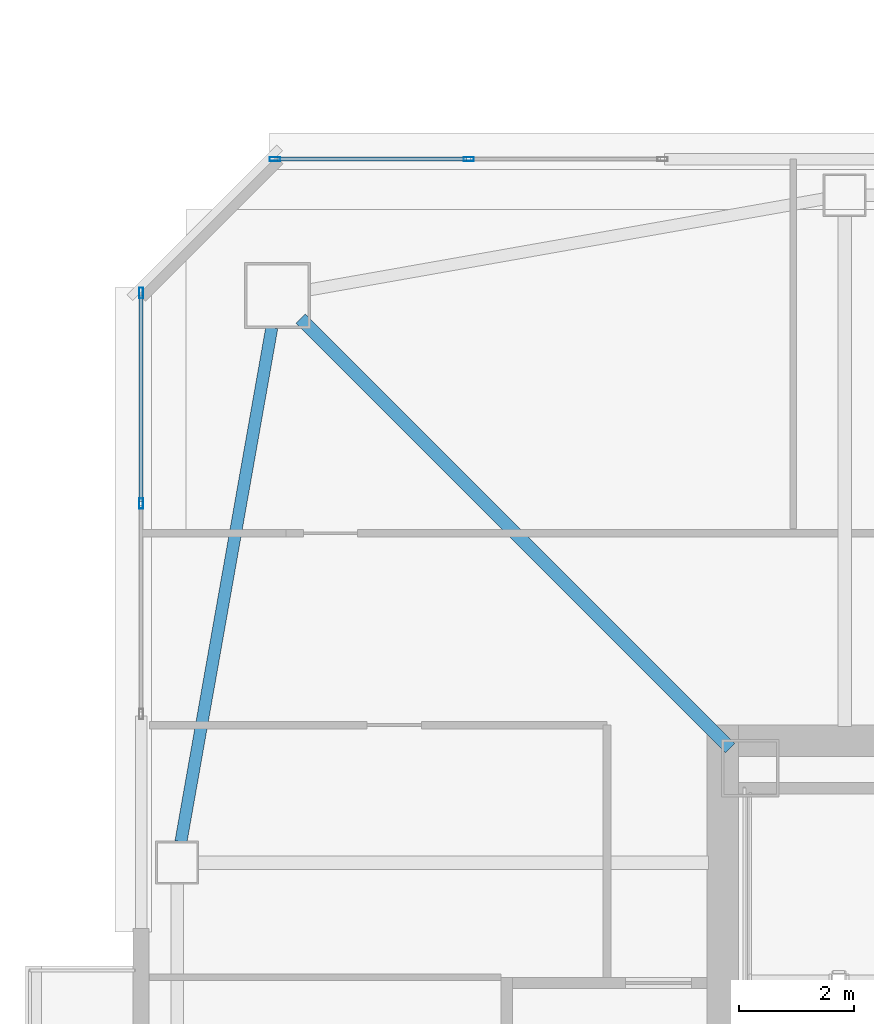
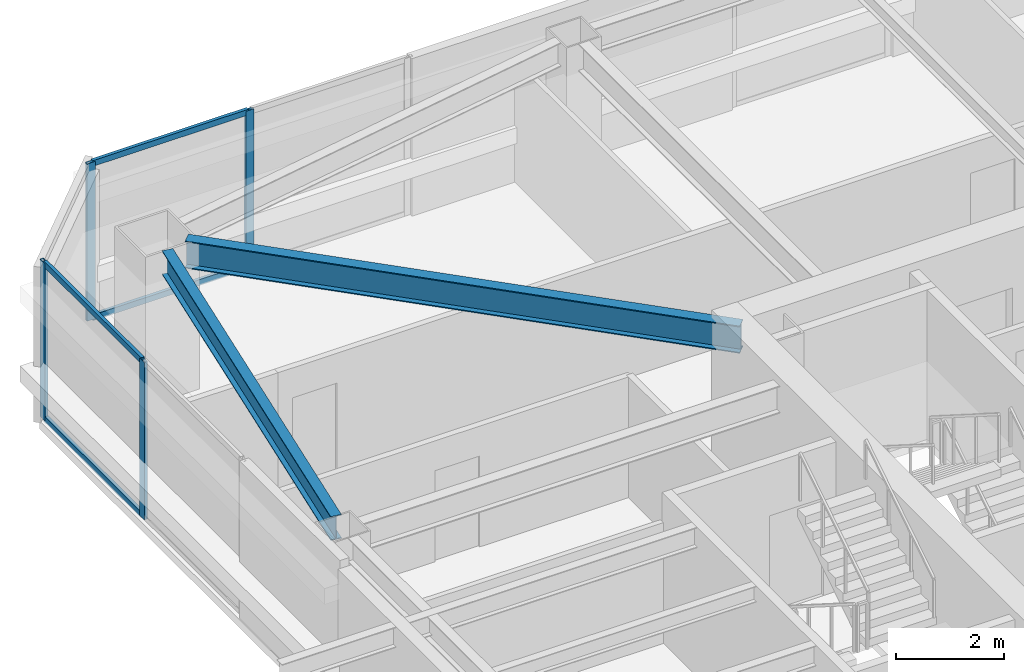
# One storey, part 12 of 43: 8 members, 2 beams, 2 elements without a shape of their own.
"""IFC4 building model written with IfcOpenShell, lengths in metres."""

from ifc_helpers import new_model, si_unit, direction, frame, origin, origin_2d, place, context, subcontext, project, spatial, hollow_rectangle, i_section, extrude, material, material_profile, profile_set, type_object, element, aggregate, save


model = new_model("IFC4")

# Units and contexts
model_context = context("Model", 3, precision=1e-05, world=origin(), true_north=direction((0.0, 1.0)))
body_context = subcontext(model_context, "Body", "Model", "MODEL_VIEW")
ifc_project = project(units=[si_unit("LENGTHUNIT", "METRE"), si_unit("AREAUNIT", "SQUARE_METRE"), si_unit("VOLUMEUNIT", "CUBIC_METRE"), si_unit("PLANEANGLEUNIT", "RADIAN"), si_unit("MASSUNIT", "GRAM", prefix="KILO")], contexts=[model_context])

# Site, building, storey
site_placement = place(None, origin())
site = spatial("IfcSite", under=ifc_project, at=site_placement, CompositionType="ELEMENT")
building_placement = place(site_placement, origin())
building = spatial("IfcBuilding", under=site, at=building_placement, Name="Tashvorn Skyway Center", CompositionType="ELEMENT")
storey_placement = place(building_placement, frame((0.0, 0.0, 185.39990234375)))
storey = spatial("IfcBuildingStorey", under=building, at=storey_placement, Name="L50", CompositionType="ELEMENT", Elevation=185.39990234375)

# Beams
ifc_material_1 = material(Name="Steel ASTM A992 Grade 50", Category="steel")
ifc_material_profile_1 = material_profile(ifc_material_1, i_section(OverallWidth=0.22998046875, OverallDepth=0.616943359375, WebThickness=0.01318359375, FlangeThickness=0.022216796875, at=origin_2d()), Name="W24X94")
ifc_profile_set_1 = profile_set([ifc_material_profile_1], Name="Steel ASTM A992 Grade 50")
beam_type_1 = type_object("IfcBeamType", Name="BM-BEAM-W24X94", PredefinedType="BEAM", material=ifc_profile_set_1)
beam_1_placement = place(storey_placement, frame((27.10302734375, 46.89697265625, 3.0615234375), z_axis=(0.707106781187, -0.707106781187, 0.0), x_axis=(0.707106781187, 0.707106781187, 0.0)))
element("IfcBeam", 1, at=beam_1_placement, inside=storey, type_object=beam_type_1, Name="Tower 1 L50 Primary Floor Girder MC-NW", PredefinedType="BEAM", context=body_context, shape_type="SweptSolid", body=[
    extrude(i_section(OverallWidth=0.22998046875, OverallDepth=0.616943359375, WebThickness=0.01318359375, FlangeThickness=0.022216796875, at=origin_2d()), origin(), (0.0, 0.0, 1.0), 10.6025390625),
])
ifc_material_profile_2 = material_profile(ifc_material_1, i_section(OverallWidth=0.2109375, OverallDepth=0.5390625, WebThickness=0.01171875, FlangeThickness=0.018798828125, at=origin_2d()), Name="W21X73")
ifc_profile_set_2 = profile_set([ifc_material_profile_2], Name="Steel ASTM A992 Grade 50")
beam_type_2 = type_object("IfcBeamType", Name="BM-SPANDREL-W21X73", PredefinedType="SPANDREL", material=ifc_profile_set_2)
beam_2_placement = place(storey_placement, frame((26.600830078125, 46.73876953125, 3.1005859375), z_axis=(-0.174074160933, -0.984732545667, 0.0), x_axis=(0.984732545667, -0.174074160933, 0.0)))
element("IfcBeam", 2, at=beam_2_placement, inside=storey, type_object=beam_type_2, Name="Tower 1 L50 Spandrel Beam 10", PredefinedType="SPANDREL", context=body_context, shape_type="SweptSolid", body=[
    extrude(i_section(OverallWidth=0.2109375, OverallDepth=0.5390625, WebThickness=0.01171875, FlangeThickness=0.018798828125, at=origin_2d()), origin(), (0.0, 0.0, 1.0), 9.113525390625),
])

# Curtain wall, members
ifc_material_2 = material(Name="Thermally broken bronze-anodized aluminium 6063-T6", Category="aluminium")
curtain_wall_type = type_object("IfcCurtainWallType", Name="CW-CW-Z4", PredefinedType="NOTDEFINED", material=ifc_material_2)
curtain_wall_1_placement = place(storey_placement, origin())
curtain_wall_1 = element("IfcCurtainWall", 3, at=curtain_wall_1_placement, inside=storey, type_object=curtain_wall_type, Name="Tower 1 L50 West Curtain Wall R Glazing Group 1", PredefinedType="NOTDEFINED")
ifc_material_profile_3 = material_profile(ifc_material_2, hollow_rectangle(XDim=0.070068359375, YDim=0.179931640625, WallThickness=0.00390625, at=origin_2d()), Name="ALU-MULL-70x180")
ifc_profile_set_3 = profile_set([ifc_material_profile_3], Name="Thermally broken bronze-anodized aluminium 6063-T6")
member_type_1 = type_object("IfcMemberType", Name="CWM-CW-Z4", PredefinedType="MULLION", material=ifc_profile_set_3)
member_1_placement = place(storey_placement, frame((24.320068359375, 43.669921875, 0.0), z_axis=(0.0, 0.0, 1.0), x_axis=(-1.0, 0.0, 0.0)))
member_1 = element("IfcMember", 4, at=member_1_placement, type_object=member_type_1, Name="CW-Z4 mullion 2", PredefinedType="MULLION", context=body_context, shape_type="SweptSolid", body=[
    extrude(hollow_rectangle(XDim=0.070068359375, YDim=0.179931640625, WallThickness=0.00390625, at=origin_2d()), origin(), (0.0, 0.0, 1.0), 3.550048828125),
])
member_2_placement = place(storey_placement, frame((24.320068359375, 47.344970703125, 0.0), z_axis=(0.0, 0.0, 1.0), x_axis=(-1.0, 0.0, 0.0)))
member_2 = element("IfcMember", 5, at=member_2_placement, type_object=member_type_1, Name="CW-Z4 mullion 3", PredefinedType="MULLION", context=body_context, shape_type="SweptSolid", body=[
    extrude(hollow_rectangle(XDim=0.070068359375, YDim=0.179931640625, WallThickness=0.00390625, at=origin_2d()), origin(), (0.0, 0.0, 1.0), 3.550048828125),
])

curtain_wall_2_placement = place(storey_placement, origin())
curtain_wall_2 = element("IfcCurtainWall", 6, at=curtain_wall_2_placement, inside=storey, type_object=curtain_wall_type, Name="Tower 1 L50 North Unitised Curtain Wall Glazing Group 1", PredefinedType="NOTDEFINED")
member_3_placement = place(storey_placement, frame((26.655029296875, 49.679931640625, 0.0), z_axis=(0.0, 0.0, 1.0), x_axis=(0.0, 1.0, 0.0)))
member_3 = element("IfcMember", 7, at=member_3_placement, type_object=member_type_1, Name="CW-Z4 mullion 1", PredefinedType="MULLION", context=body_context, shape_type="SweptSolid", body=[
    extrude(hollow_rectangle(XDim=0.070068359375, YDim=0.179931640625, WallThickness=0.00390625, at=origin_2d()), origin(), (0.0, 0.0, 1.0), 3.550048828125),
])
member_4_placement = place(storey_placement, frame((30.037841796875, 49.679931640625, 0.0), z_axis=(0.0, 0.0, 1.0), x_axis=(0.0, 1.0, 0.0)))
member_4 = element("IfcMember", 8, at=member_4_placement, type_object=member_type_1, Name="CW-Z4 mullion 2", PredefinedType="MULLION", context=body_context, shape_type="SweptSolid", body=[
    extrude(hollow_rectangle(XDim=0.070068359375, YDim=0.179931640625, WallThickness=0.00390625, at=origin_2d()), origin(), (0.0, 0.0, 1.0), 3.550048828125),
])

# Member
ifc_material_profile_4 = material_profile(ifc_material_2, hollow_rectangle(XDim=0.070068359375, YDim=0.1298828125, WallThickness=0.00390625, at=origin_2d()), Name="ALU-TRAN-70x130")
ifc_profile_set_4 = profile_set([ifc_material_profile_4], Name="Thermally broken bronze-anodized aluminium 6063-T6")
member_type_2 = type_object("IfcMemberType", Name="CWT-CW-Z4", PredefinedType="USERDEFINED", material=ifc_profile_set_4)
member_5_placement = place(storey_placement, frame((24.320068359375, 43.705078125, 0.03515625), z_axis=(0.0, 1.0, 0.0), x_axis=(-1.0, 0.0, 0.0)))
member_5 = element("IfcMember", 9, at=member_5_placement, type_object=member_type_2, Name="CW-Z4 transom 2.1", ObjectType="TRANSOM", PredefinedType="USERDEFINED", context=body_context, shape_type="SweptSolid", body=[
    extrude(hollow_rectangle(XDim=0.070068359375, YDim=0.1298828125, WallThickness=0.00390625, at=origin_2d()), origin(), (0.0, 0.0, 1.0), 3.60498046875),
])

member_6_placement = place(storey_placement, frame((24.320068359375, 43.705078125, 3.51513671875), z_axis=(0.0, 1.0, 0.0), x_axis=(-1.0, 0.0, 0.0)))
member_6 = element("IfcMember", 10, at=member_6_placement, type_object=member_type_2, Name="CW-Z4 transom 2.2", ObjectType="TRANSOM", PredefinedType="USERDEFINED", context=body_context, shape_type="SweptSolid", body=[
    extrude(hollow_rectangle(XDim=0.070068359375, YDim=0.1298828125, WallThickness=0.00390625, at=origin_2d()), origin(), (0.0, 0.0, 1.0), 3.60498046875),
])

aggregate(curtain_wall_1, [member_1, member_2, member_5, member_6])

member_7_placement = place(storey_placement, frame((26.68994140625, 49.679931640625, 0.03515625), z_axis=(1.0, 0.0, 0.0), x_axis=(0.0, 1.0, 0.0)))
member_7 = element("IfcMember", 11, at=member_7_placement, type_object=member_type_2, Name="CW-Z4 transom 1.1", ObjectType="TRANSOM", PredefinedType="USERDEFINED", context=body_context, shape_type="SweptSolid", body=[
    extrude(hollow_rectangle(XDim=0.070068359375, YDim=0.1298828125, WallThickness=0.00390625, at=origin_2d()), origin(), (0.0, 0.0, 1.0), 3.312744140625),
])

member_8_placement = place(storey_placement, frame((26.68994140625, 49.679931640625, 3.51513671875), z_axis=(1.0, 0.0, 0.0), x_axis=(0.0, 1.0, 0.0)))
member_8 = element("IfcMember", 12, at=member_8_placement, type_object=member_type_2, Name="CW-Z4 transom 1.2", ObjectType="TRANSOM", PredefinedType="USERDEFINED", context=body_context, shape_type="SweptSolid", body=[
    extrude(hollow_rectangle(XDim=0.070068359375, YDim=0.1298828125, WallThickness=0.00390625, at=origin_2d()), origin(), (0.0, 0.0, 1.0), 3.312744140625),
])

aggregate(curtain_wall_2, [member_3, member_4, member_7, member_8])

save(model, "model.ifc")
